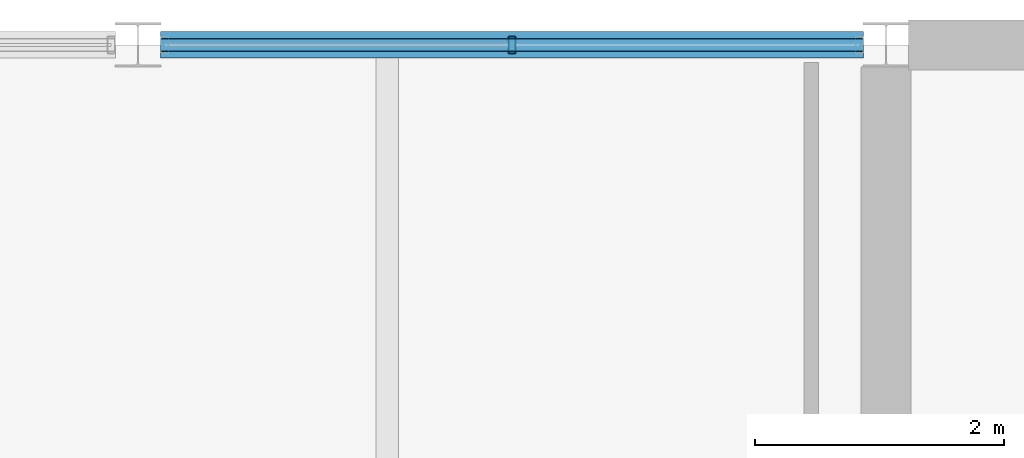
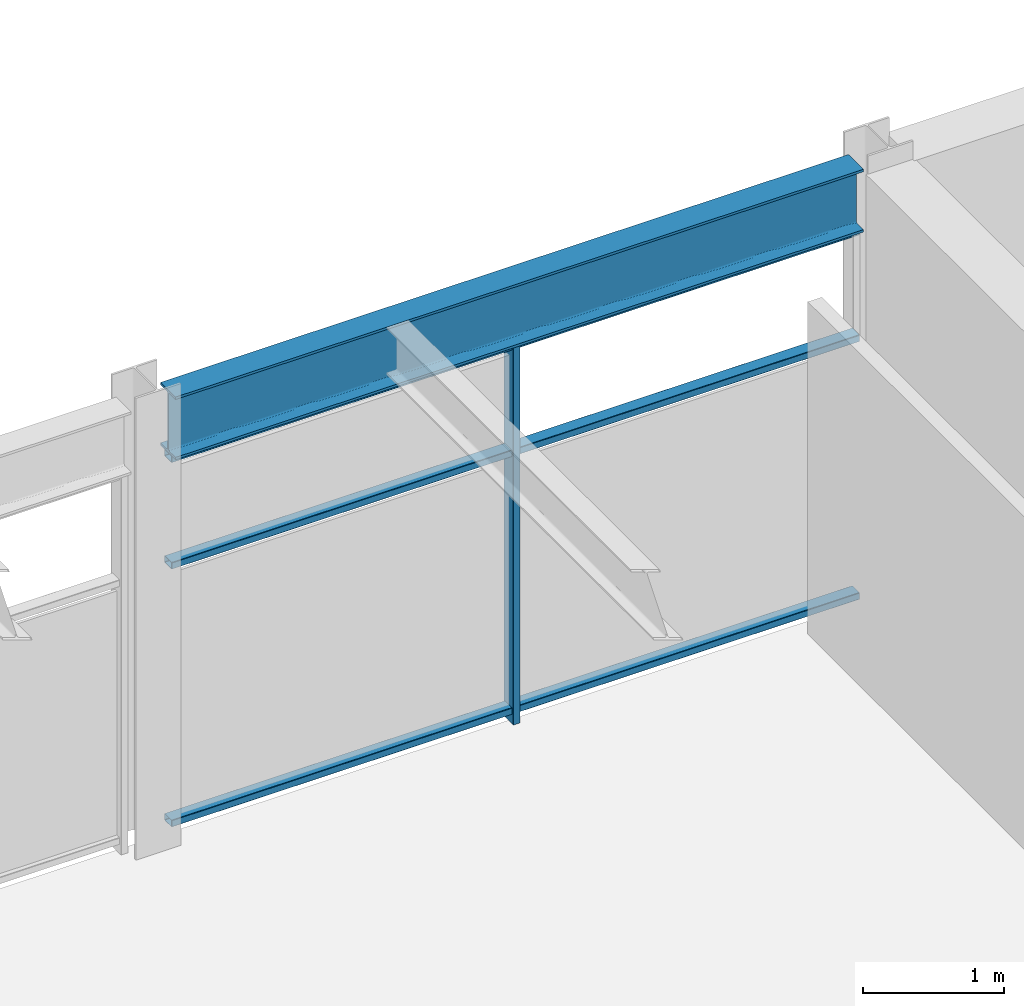
# One storey, part 22 of 32: 4 members, 1 beam, 1 element without a shape of its own.
"""IFC4 building model written with IfcOpenShell, lengths in metres."""

from ifc_helpers import new_model, si_unit, direction, frame, origin, origin_2d, place, context, subcontext, project, spatial, hollow_rectangle, i_section, extrude, material, material_profile, profile_set, type_object, element, aggregate, save


model = new_model("IFC4")

# Units and contexts
model_context = context("Model", 3, precision=1e-05, world=origin(), true_north=direction((0.0, 1.0)))
body_context = subcontext(model_context, "Body", "Model", "MODEL_VIEW")
ifc_project = project(units=[si_unit("LENGTHUNIT", "METRE"), si_unit("AREAUNIT", "SQUARE_METRE"), si_unit("VOLUMEUNIT", "CUBIC_METRE"), si_unit("PLANEANGLEUNIT", "RADIAN"), si_unit("MASSUNIT", "GRAM", prefix="KILO")], contexts=[model_context])

# Site, building, storey
site_placement = place(None, origin())
site = spatial("IfcSite", under=ifc_project, at=site_placement, CompositionType="ELEMENT")
building_placement = place(site_placement, origin())
building = spatial("IfcBuilding", under=site, at=building_placement, Name="Girod Span Mobility Hub", CompositionType="ELEMENT")
storey_placement = place(building_placement, frame((0.0, 0.0, 61.60009765625)))
storey = spatial("IfcBuildingStorey", under=building, at=storey_placement, Name="L15", CompositionType="ELEMENT", Elevation=61.60009765625)

# Beam
ifc_material_1 = material(Name="Steel A992 Grade 50", Category="steel")
ifc_material_profile_1 = material_profile(ifc_material_1, i_section(OverallWidth=0.2119140625, OverallDepth=0.5439453125, WebThickness=0.01318359375, FlangeThickness=0.021240234375, FilletRadius=0.014892578125, at=origin_2d()), Name="W21X83")
ifc_profile_set_1 = profile_set([ifc_material_profile_1], Name="Steel A992 Grade 50")
beam_type = type_object("IfcBeamType", Name="BM-STL-W21X83", PredefinedType="SPANDREL", material=ifc_profile_set_1)
beam_placement = place(storey_placement, frame((102.181396484375, 69.0, 3.56787109375), z_axis=(1.0, 0.0, 0.0), x_axis=(0.0, 1.0, 0.0)))
element("IfcBeam", 1, at=beam_placement, inside=storey, type_object=beam_type, Name="Spandrel Beam 9-10/F-E L15", PredefinedType="SPANDREL", context=body_context, shape_type="SweptSolid", body=[
    extrude(i_section(OverallWidth=0.2119140625, OverallDepth=0.5439453125, WebThickness=0.01318359375, FlangeThickness=0.021240234375, FilletRadius=0.014892578125, at=origin_2d()), origin(), (0.0, 0.0, 1.0), 5.63720703125),
])

# Curtain wall, members
ifc_material_2 = material(Name="Thermally Broken Anodised Aluminium", Category="aluminium")
curtain_wall_type = type_object("IfcCurtainWallType", Name="CW-564X330", PredefinedType="USERDEFINED", material=ifc_material_2)
curtain_wall_placement = place(storey_placement, origin())
curtain_wall = element("IfcCurtainWall", 2, at=curtain_wall_placement, inside=storey, type_object=curtain_wall_type, Name="Unitised Curtain Wall CW-L15-N09E L15", ObjectType="UNITISED CURTAIN WALL", PredefinedType="USERDEFINED")
ifc_material_3 = material(Name="Thermally Broken Anodised Aluminium", Category="aluminium")
ifc_material_profile_2 = material_profile(ifc_material_3, hollow_rectangle(XDim=0.139892578125, YDim=0.06005859375, WallThickness=0.00341796875, InnerFilletRadius=0.00341796875, OuterFilletRadius=0.007080078125, at=origin_2d()), Name="CW-ML-60X140")
ifc_profile_set_2 = profile_set([ifc_material_profile_2], Name="Thermally Broken Anodised Aluminium")
member_type_1 = type_object("IfcMemberType", Name="CWM-ML-4", PredefinedType="MULLION", material=ifc_profile_set_2)
member_1_placement = place(storey_placement, frame((105.0, 69.0, 0.0), z_axis=(0.0, 0.0, 1.0), x_axis=(0.0, 1.0, 0.0)))
member_1 = element("IfcMember", 3, at=member_1_placement, type_object=member_type_1, Name="Curtain Wall Mullion CW-L15-N09E-M1", PredefinedType="MULLION", context=body_context, shape_type="SweptSolid", body=[
    extrude(hollow_rectangle(XDim=0.139892578125, YDim=0.06005859375, WallThickness=0.00341796875, InnerFilletRadius=0.00341796875, OuterFilletRadius=0.007080078125, at=origin_2d()), origin(), (0.0, 0.0, 1.0), 3.2958984375),
])
ifc_material_4 = material(Name="Thermally Broken Anodised Aluminium", Category="aluminium")
ifc_material_profile_3 = material_profile(ifc_material_4, hollow_rectangle(XDim=0.10498046875, YDim=0.06005859375, WallThickness=0.00341796875, InnerFilletRadius=0.00341796875, OuterFilletRadius=0.007080078125, at=origin_2d()), Name="CW-TR-60X105")
ifc_profile_set_3 = profile_set([ifc_material_profile_3], Name="Thermally Broken Anodised Aluminium")
member_type_2 = type_object("IfcMemberType", Name="CWM-TR-4", PredefinedType="USERDEFINED", material=ifc_profile_set_3)
member_2_placement = place(storey_placement, frame((102.1826171875, 69.0, 0.10986328125), z_axis=(1.0, 0.0, 0.0), x_axis=(0.0, 1.0, 0.0)))
member_2 = element("IfcMember", 4, at=member_2_placement, type_object=member_type_2, Name="Curtain Wall Transom CW-L15-N09E-T1", ObjectType="TRANSOM", PredefinedType="USERDEFINED", context=body_context, shape_type="SweptSolid", body=[
    extrude(hollow_rectangle(XDim=0.10498046875, YDim=0.06005859375, WallThickness=0.00341796875, InnerFilletRadius=0.00341796875, OuterFilletRadius=0.007080078125, at=origin_2d()), origin(), (0.0, 0.0, 1.0), 5.634765625),
])
member_3_placement = place(storey_placement, frame((102.1826171875, 69.0, 2.343017578125), z_axis=(1.0, 0.0, 0.0), x_axis=(0.0, 1.0, 0.0)))
member_3 = element("IfcMember", 5, at=member_3_placement, type_object=member_type_2, Name="Curtain Wall Transom CW-L15-N09E-T2", ObjectType="TRANSOM", PredefinedType="USERDEFINED", context=body_context, shape_type="SweptSolid", body=[
    extrude(hollow_rectangle(XDim=0.10498046875, YDim=0.06005859375, WallThickness=0.00341796875, InnerFilletRadius=0.00341796875, OuterFilletRadius=0.007080078125, at=origin_2d()), origin(), (0.0, 0.0, 1.0), 5.634765625),
])
member_4_placement = place(storey_placement, frame((102.1826171875, 69.0, 3.265869140625), z_axis=(1.0, 0.0, 0.0), x_axis=(0.0, 1.0, 0.0)))
member_4 = element("IfcMember", 6, at=member_4_placement, type_object=member_type_2, Name="Curtain Wall Transom CW-L15-N09E-T3", ObjectType="TRANSOM", PredefinedType="USERDEFINED", context=body_context, shape_type="SweptSolid", body=[
    extrude(hollow_rectangle(XDim=0.10498046875, YDim=0.06005859375, WallThickness=0.00341796875, InnerFilletRadius=0.00341796875, OuterFilletRadius=0.007080078125, at=origin_2d()), origin(), (0.0, 0.0, 1.0), 5.634765625),
])
aggregate(curtain_wall, [member_1, member_2, member_3, member_4])

save(model, "model.ifc")
